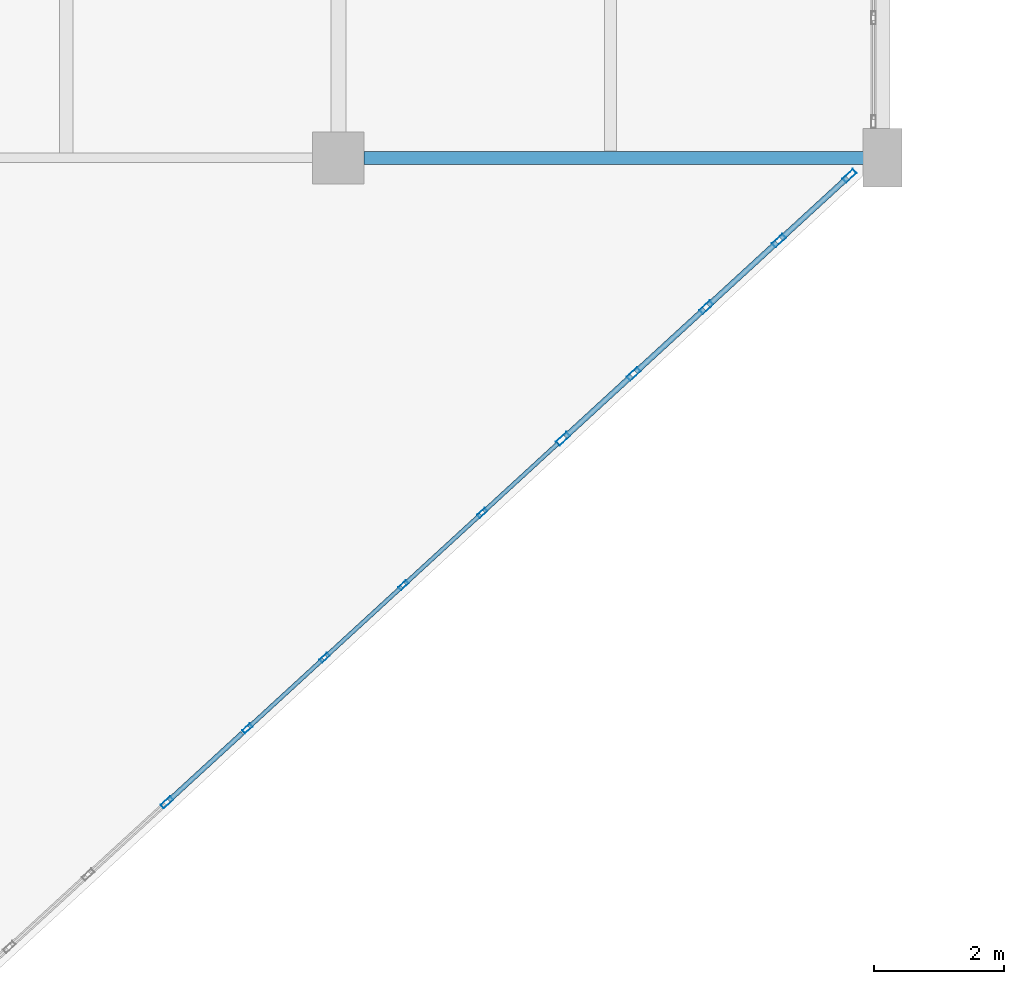
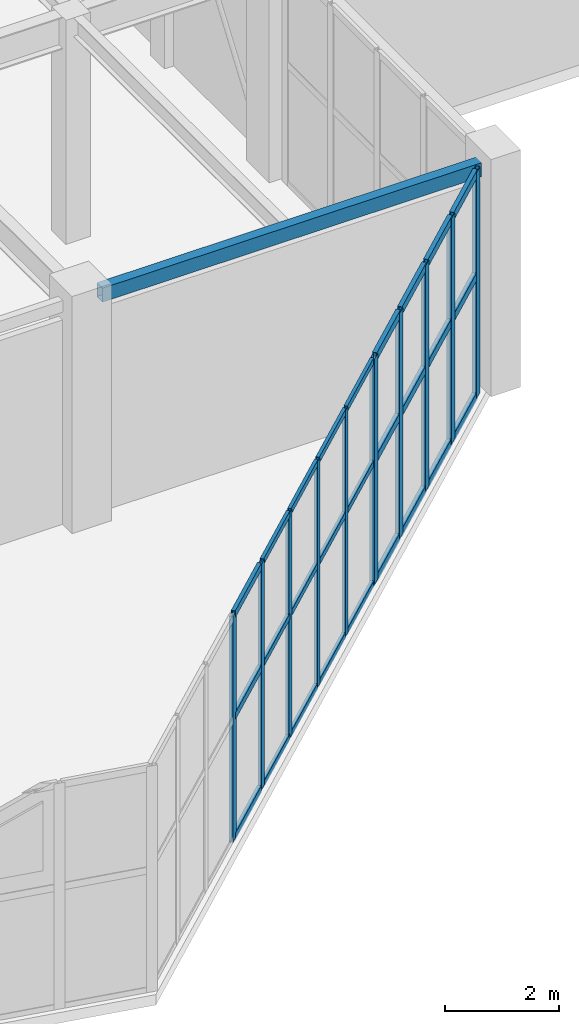
# One storey, part 36 of 128: 37 members, 1 beam, 3 elements without a shape of their own.
"""IFC4 building model written with IfcOpenShell, lengths in metres."""

import ifcopenshell
import ifcopenshell.guid

model = None  # the IFC model being written
_history = None  # IfcOwnerHistory: only IFC2X3 demands one
_inside = {}  # id of a spatial element -> (the spatial element, [elements in it])
_under = {}  # id of a project, library or spatial element -> (it, [spatial elements below it])
_declared = {}  # id of a project -> (the project, [libraries it declares])
_typed = {}  # id of a type object -> (the type object, [elements of that type])
_made_of = {}  # id of a material, layer set ... -> (it, [elements and type objects made of it])


def new_model(schema):
    """Start an empty IFC model of exactly this schema.

    Asked for "IFC4X3", IfcOpenShell would pick the latest addendum, in which some entities
    have other attributes; the version numbers below select the first issue.
    IFC2X3 requires an IfcOwnerHistory on every rooted entity: one is made here for all.
    """
    global model, _history
    if schema == "IFC4X3":
        model = ifcopenshell.file(schema_version=(4, 3, 0, 0))
    else:
        model = ifcopenshell.file(schema=schema)
    _inside.clear()
    _under.clear()
    _declared.clear()
    _typed.clear()
    _made_of.clear()
    _history = None
    if model.schema == "IFC2X3":
        org = make("IfcOrganization", Name="unknown")
        user = make(
            "IfcPersonAndOrganization",
            ThePerson=make("IfcPerson", FamilyName="unknown"),
            TheOrganization=org,
        )
        app = make(
            "IfcApplication",
            ApplicationDeveloper=org,
            Version="unknown",
            ApplicationFullName="unknown",
            ApplicationIdentifier="unknown",
        )
        _history = make(
            "IfcOwnerHistory",
            OwningUser=user,
            OwningApplication=app,
            ChangeAction="ADDED",
            CreationDate=0,
        )
    return model


def make(cls, **values):
    """One entity of the class cls with the attributes given. An attribute that is None is left unset."""
    return model.create_entity(
        cls, **{name: value for name, value in values.items() if value is not None}
    )


def rooted(cls, **values):
    """An entity with a GlobalId (a new one), such as an element, a storey or a relation."""
    return make(cls, GlobalId=ifcopenshell.guid.new(), OwnerHistory=_history, **values)


def si_unit(unit_type, name, prefix=None):
    """IfcSIUnit, for example si_unit("LENGTHUNIT", "METRE", prefix="MILLI")."""
    return make("IfcSIUnit", UnitType=unit_type, Prefix=prefix, Name=name)


def assignment(units):
    """IfcUnitAssignment: the units of a project."""
    return None if units is None else make("IfcUnitAssignment", Units=units)


def point(xyz):
    """IfcCartesianPoint."""
    return None if xyz is None else make("IfcCartesianPoint", Coordinates=xyz)


def direction(xyz):
    """IfcDirection."""
    return None if xyz is None else make("IfcDirection", DirectionRatios=xyz)


def frame(location, z_axis=None, x_axis=None):
    """IfcAxis2Placement3D, a coordinate frame: its origin and axes. An axis left out is left unset."""
    return make(
        "IfcAxis2Placement3D",
        Location=point(location),
        Axis=direction(z_axis),
        RefDirection=direction(x_axis),
    )


def frame_2d(location, x_axis=None):
    """IfcAxis2Placement2D, a coordinate frame in the plane: its origin and x axis."""
    return make(
        "IfcAxis2Placement2D", Location=point(location), RefDirection=direction(x_axis)
    )


def origin():
    """The frame at (0, 0, 0) with its axes left unset."""
    return frame((0.0, 0.0, 0.0))


def origin_2d():
    """The frame at (0, 0) in the plane with its x axis left unset."""
    return frame_2d((0.0, 0.0))


def place(relative_to, where):
    """IfcLocalPlacement: puts the frame where relative to a parent placement (None: the world)."""
    return make(
        "IfcLocalPlacement", PlacementRelTo=relative_to, RelativePlacement=where
    )


def context(
    kind, dimensions, precision=None, world=None, true_north=None, identifier=None
):
    """IfcGeometricRepresentationContext, for example the 3D "Model" context."""
    return make(
        "IfcGeometricRepresentationContext",
        ContextIdentifier=identifier,
        ContextType=kind,
        CoordinateSpaceDimension=dimensions,
        Precision=precision,
        WorldCoordinateSystem=world,
        TrueNorth=true_north,
    )


def subcontext(parent, identifier, kind, view, scale=None):
    """IfcGeometricRepresentationSubContext, for example "Body" below "Model"."""
    return make(
        "IfcGeometricRepresentationSubContext",
        ContextIdentifier=identifier,
        ContextType=kind,
        ParentContext=parent,
        TargetScale=scale,
        TargetView=view,
    )


def project(units=None, contexts=None):
    """IfcProject with its units and contexts."""
    return rooted(
        "IfcProject",
        Name="project",
        RepresentationContexts=contexts,
        UnitsInContext=assignment(units),
    )


def spatial(cls, under=None, at=None, **own):
    """A site, building, storey or space (cls), placed at a placement, below another one or the project."""
    s = rooted(cls, ObjectPlacement=at, **own)
    if under is not None:
        _under.setdefault(under.id(), (under, []))[1].append(s)
    return s


def profile(cls, at=None, kind="AREA", **sizes):
    """A parametric profile (cls). Its sizes go by their IFC names, for example OverallWidth=200.0."""
    return make(cls, ProfileType=kind, Position=at, **sizes)


def hollow_rectangle(**sizes):
    """IfcRectangleHollowProfileDef."""
    return profile("IfcRectangleHollowProfileDef", **sizes)


def extrude(swept, where, along, depth):
    """IfcExtrudedAreaSolid: the profile swept, set in the frame where, extruded along a direction by depth."""
    return make(
        "IfcExtrudedAreaSolid",
        SweptArea=swept,
        Position=where,
        ExtrudedDirection=direction(along),
        Depth=depth,
    )


def shape(context_of_items, identifier, shape_type, items):
    """IfcShapeRepresentation: the items that make up one representation, for example the "Body"."""
    return make(
        "IfcShapeRepresentation",
        ContextOfItems=context_of_items,
        RepresentationIdentifier=identifier,
        RepresentationType=shape_type,
        Items=items,
    )


def material(Name=None, Category=None):
    """IfcMaterial."""
    return make("IfcMaterial", Name=Name, Category=Category)


def layer(
    of_material, thickness, ventilated=None, Name=None, Category=None, Priority=None
):
    """IfcMaterialLayer: one layer of a wall or slab, of a material (None: an air gap)."""
    return make(
        "IfcMaterialLayer",
        Material=of_material,
        LayerThickness=thickness,
        IsVentilated=ventilated,
        Name=Name,
        Category=Category,
        Priority=Priority,
    )


def layer_set(layers, Name=None):
    """IfcMaterialLayerSet."""
    return make("IfcMaterialLayerSet", MaterialLayers=layers, LayerSetName=Name)


def material_profile(
    of_material, cross_section, Name=None, Category=None, Priority=None
):
    """IfcMaterialProfile: a cross section and its material."""
    return make(
        "IfcMaterialProfile",
        Name=Name,
        Material=of_material,
        Profile=cross_section,
        Priority=Priority,
        Category=Category,
    )


def profile_set(profiles, Name=None, composite=None):
    """IfcMaterialProfileSet."""
    return make(
        "IfcMaterialProfileSet",
        Name=Name,
        MaterialProfiles=profiles,
        CompositeProfile=composite,
    )


def made_of(thing, what):
    """Note that an element or type object is made of a material, layer set ...; save() writes the relation."""
    if what is not None:
        _made_of.setdefault(what.id(), (what, []))[1].append(thing)
    return thing


def type_object(cls, material=None, **own):
    """A type object (cls), such as IfcWallType, which elements share."""
    return made_of(rooted(cls, **own), material)


def element(
    cls,
    number,
    at=None,
    inside=None,
    cuts=None,
    type_object=None,
    material=None,
    context=None,
    identifier="Body",
    shape_type=None,
    held_by="IfcProductDefinitionShape",
    body=None,
    shapes=None,
    **own,
):
    """One element of the class cls, such as IfcWall. Its Tag is "e" and its number.

    at: its placement. inside: the storey or other place that contains it. cuts: it is an
    opening in that element (IfcRelVoidsElement). A single representation is given by context,
    identifier, shape_type and body (its items); several are given by shapes. held_by: the class
    of the entity that holds the representations. save() writes the other relations.
    """
    e = rooted(cls, Tag="e%d" % number, ObjectPlacement=at, **own)
    if body is not None:
        shapes = [shape(context, identifier, shape_type, body)]
    if shapes is not None:
        e.Representation = make(held_by, Representations=shapes)
    if inside is not None:
        _inside.setdefault(inside.id(), (inside, []))[1].append(e)
    if cuts is not None:
        rooted(
            "IfcRelVoidsElement", RelatingBuildingElement=cuts, RelatedOpeningElement=e
        )
    if type_object is not None:
        _typed.setdefault(type_object.id(), (type_object, []))[1].append(e)
    return made_of(e, material)


def aggregate(whole, parts):
    """IfcRelAggregates: a whole, such as a stair, and the parts it consists of."""
    return rooted("IfcRelAggregates", RelatingObject=whole, RelatedObjects=parts)


def save(model, path):
    """Write the relations noted so far, then the file.

    IfcRelAggregates (storeys below a building ...), IfcRelContainedInSpatialStructure (elements
    in a storey), IfcRelDefinesByType, IfcRelAssociatesMaterial and IfcRelDeclares: one each for
    every whole, place, type object, material and project.
    """
    for whole, parts in _under.values():
        aggregate(whole, parts)
    for where, things in _inside.values():
        rooted(
            "IfcRelContainedInSpatialStructure",
            RelatedElements=things,
            RelatingStructure=where,
        )
    for kind, things in _typed.values():
        rooted("IfcRelDefinesByType", RelatedObjects=things, RelatingType=kind)
    for what, things in _made_of.values():
        rooted("IfcRelAssociatesMaterial", RelatedObjects=things, RelatingMaterial=what)
    for by, libraries in _declared.values():
        rooted("IfcRelDeclares", RelatingContext=by, RelatedDefinitions=libraries)
    model.write(path)


model = new_model("IFC4")

# Units and contexts
model_context = context("Model", 3, precision=1e-05, world=origin(), true_north=direction((0.0, 1.0)))
body_context = subcontext(model_context, "Body", "Model", "MODEL_VIEW")
ifc_project = project(units=[si_unit("LENGTHUNIT", "METRE"), si_unit("AREAUNIT", "SQUARE_METRE"), si_unit("VOLUMEUNIT", "CUBIC_METRE"), si_unit("PLANEANGLEUNIT", "RADIAN"), si_unit("MASSUNIT", "GRAM", prefix="KILO")], contexts=[model_context])

# Site, building, storey
site_placement = place(None, origin())
site = spatial("IfcSite", under=ifc_project, at=site_placement, CompositionType="ELEMENT")
building_placement = place(site_placement, origin())
building = spatial("IfcBuilding", under=site, at=building_placement, Name="Xicomal Pleat Aquarium", CompositionType="ELEMENT")
storey_placement = place(building_placement, frame((0.0, 0.0, 5.39990234375)))
storey = spatial("IfcBuildingStorey", under=building, at=storey_placement, Name="L02", CompositionType="ELEMENT", Elevation=5.39990234375)

# Beam
ifc_material_1 = material(Name="Structural steel A500 Gr C", Category="steel")
ifc_material_profile_1 = material_profile(ifc_material_1, hollow_rectangle(XDim=0.199951171875, YDim=0.300048828125, WallThickness=0.011962890625, at=origin_2d()), Name="OR 300x200x12")
ifc_profile_set_1 = profile_set([ifc_material_profile_1], Name="Structural steel A500 Gr C")
beam_type = type_object("IfcBeamType", Name="BM-STL-OR300", PredefinedType="SPANDREL", material=ifc_profile_set_1)
beam_placement = place(storey_placement, frame((86.195068359375, 30.39990234375, 4.670166015625), z_axis=(1.0, 0.0, 0.0), x_axis=(0.0, 1.0, 0.0)))
element("IfcBeam", 1, at=beam_placement, inside=storey, type_object=beam_type, Name="L02 framing beam FGX-L02-11-12-E", PredefinedType="SPANDREL", context=body_context, shape_type="SweptSolid", body=[
    extrude(hollow_rectangle(XDim=0.199951171875, YDim=0.300048828125, WallThickness=0.011962890625, at=origin_2d()), origin(), (0.0, 0.0, 1.0), 7.7099609375),
])

# Curtain wall, members
ifc_material_2 = material(Name="Bronze anodized aluminium 6063-T6", Category="aluminium")
ifc_layer_1 = layer(ifc_material_2, 0.159912109375)
ifc_layer_set_1 = layer_set([ifc_layer_1], Name="Bronze anodized aluminium 6063-T6")
curtain_wall_type_1 = type_object("IfcCurtainWallType", Name="CW-SYS-02", PredefinedType="NOTDEFINED", material=ifc_layer_set_1)
curtain_wall_1_placement = place(storey_placement, origin())
curtain_wall_1 = element("IfcCurtainWall", 2, at=curtain_wall_1_placement, inside=storey, type_object=curtain_wall_type_1, Name="L02 unitised curtain wall CW-L02-120", PredefinedType="NOTDEFINED")
ifc_material_3 = material(Name="Bronze anodized aluminium 6063-T6", Category="aluminium")
ifc_material_profile_2 = material_profile(ifc_material_3, hollow_rectangle(XDim=0.06494140625, YDim=0.159912109375, WallThickness=0.00390625, at=origin_2d()), Name="ALU MULL 65x160")
ifc_profile_set_2 = profile_set([ifc_material_profile_2], Name="Bronze anodized aluminium 6063-T6")
member_type_1 = type_object("IfcMemberType", Name="CWM-65x160", PredefinedType="MULLION", material=ifc_profile_set_2)
member_1_placement = place(storey_placement, frame((88.021484375, 24.91943359375, 0.0), z_axis=(0.0, 0.0, 1.0), x_axis=(0.676177003707, -0.736739207358, 0.0)))
member_1 = element("IfcMember", 3, at=member_1_placement, type_object=member_type_1, Name="CW-02 mullion 2", PredefinedType="MULLION", context=body_context, shape_type="SweptSolid", body=[
    extrude(hollow_rectangle(XDim=0.06494140625, YDim=0.159912109375, WallThickness=0.00390625, at=origin_2d()), origin(), (0.0, 0.0, 1.0), 4.860107421875),
])
member_2_placement = place(storey_placement, frame((86.804931640625, 23.802978515625, 0.0), z_axis=(0.0, 0.0, 1.0), x_axis=(0.676177003707, -0.736739207358, 0.0)))
member_2 = element("IfcMember", 4, at=member_2_placement, type_object=member_type_1, Name="CW-02 mullion 3", PredefinedType="MULLION", context=body_context, shape_type="SweptSolid", body=[
    extrude(hollow_rectangle(XDim=0.06494140625, YDim=0.159912109375, WallThickness=0.00390625, at=origin_2d()), origin(), (0.0, 0.0, 1.0), 4.860107421875),
])
member_3_placement = place(storey_placement, frame((85.58837890625, 22.6865234375, 0.0), z_axis=(0.0, 0.0, 1.0), x_axis=(0.676177003707, -0.736739207358, 0.0)))
member_3 = element("IfcMember", 5, at=member_3_placement, type_object=member_type_1, Name="CW-02 mullion 4", PredefinedType="MULLION", context=body_context, shape_type="SweptSolid", body=[
    extrude(hollow_rectangle(XDim=0.06494140625, YDim=0.159912109375, WallThickness=0.00390625, at=origin_2d()), origin(), (0.0, 0.0, 1.0), 4.860107421875),
])
member_4_placement = place(storey_placement, frame((84.39599609375, 21.592041015625, 0.0), z_axis=(0.0, 0.0, 1.0), x_axis=(0.676177003707, -0.736739207358, 0.0)))
member_4 = element("IfcMember", 6, at=member_4_placement, type_object=member_type_1, Name="CW-02 mullion 5", PredefinedType="MULLION", context=body_context, shape_type="SweptSolid", body=[
    extrude(hollow_rectangle(XDim=0.06494140625, YDim=0.159912109375, WallThickness=0.00390625, at=origin_2d()), origin(), (0.0, 0.0, 1.0), 4.860107421875),
])

# Curtain wall, member
ifc_material_4 = material(Name="Bronze anodized aluminium 6063-T6", Category="aluminium")
ifc_layer_2 = layer(ifc_material_4, 0.159912109375)
ifc_layer_set_2 = layer_set([ifc_layer_2], Name="Bronze anodized aluminium 6063-T6")
curtain_wall_type_2 = type_object("IfcCurtainWallType", Name="CW-SYS-07", PredefinedType="NOTDEFINED", material=ifc_layer_set_2)
curtain_wall_2_placement = place(storey_placement, origin())
curtain_wall_2 = element("IfcCurtainWall", 7, at=curtain_wall_2_placement, inside=storey, type_object=curtain_wall_type_2, Name="L02 unitised curtain wall CW-L02-121", PredefinedType="NOTDEFINED")
ifc_material_5 = material(Name="Bronze anodized aluminium 6063-T6", Category="aluminium")
ifc_material_profile_3 = material_profile(ifc_material_5, hollow_rectangle(XDim=0.074951171875, YDim=0.199951171875, WallThickness=0.00439453125, at=origin_2d()), Name="ALU MULL 75x200")
ifc_profile_set_3 = profile_set([ifc_material_profile_3], Name="Bronze anodized aluminium 6063-T6")
member_type_2 = type_object("IfcMemberType", Name="CWM-75x200", PredefinedType="MULLION", material=ifc_profile_set_3)
member_5_placement = place(storey_placement, frame((83.1552734375, 20.453369140625, 0.0), z_axis=(0.0, 0.0, 1.0), x_axis=(0.676183757735, -0.736733008475, 0.0)))
member_5 = element("IfcMember", 8, at=member_5_placement, type_object=member_type_2, Name="CW-07 mullion 2", PredefinedType="MULLION", context=body_context, shape_type="SweptSolid", body=[
    extrude(hollow_rectangle(XDim=0.074951171875, YDim=0.199951171875, WallThickness=0.00439453125, at=origin_2d()), origin(), (0.0, 0.0, 1.0), 4.860107421875),
])

# Curtain wall, members
ifc_material_6 = material(Name="Bronze anodized aluminium 6063-T6", Category="aluminium")
ifc_layer_3 = layer(ifc_material_6, 0.159912109375)
ifc_layer_set_3 = layer_set([ifc_layer_3], Name="Bronze anodized aluminium 6063-T6")
curtain_wall_type_3 = type_object("IfcCurtainWallType", Name="CW-SYS-12", PredefinedType="NOTDEFINED", material=ifc_layer_set_3)
curtain_wall_3_placement = place(storey_placement, origin())
curtain_wall_3 = element("IfcCurtainWall", 9, at=curtain_wall_3_placement, inside=storey, type_object=curtain_wall_type_3, Name="L02 unitised curtain wall CW-L02-119", PredefinedType="NOTDEFINED")
ifc_material_7 = material(Name="Bronze anodized aluminium 6063-T6", Category="aluminium")
ifc_material_profile_4 = material_profile(ifc_material_7, hollow_rectangle(XDim=0.0849609375, YDim=0.219970703125, WallThickness=0.0048828125, at=origin_2d()), Name="ALU MULL 85x220")
ifc_profile_set_4 = profile_set([ifc_material_profile_4], Name="Bronze anodized aluminium 6063-T6")
member_type_3 = type_object("IfcMemberType", Name="CWM-85x220", PredefinedType="MULLION", material=ifc_profile_set_4)
member_6_placement = place(storey_placement, frame((93.690673828125, 30.123291015625, 0.0), z_axis=(0.0, 0.0, 1.0), x_axis=(0.676230368116, -0.736690226104, 0.0)))
member_6 = element("IfcMember", 10, at=member_6_placement, type_object=member_type_3, Name="CW-12 mullion 1", PredefinedType="MULLION", context=body_context, shape_type="SweptSolid", body=[
    extrude(hollow_rectangle(XDim=0.0849609375, YDim=0.219970703125, WallThickness=0.0048828125, at=origin_2d()), origin(), (0.0, 0.0, 1.0), 4.860107421875),
])
member_7_placement = place(storey_placement, frame((92.60107421875, 29.123046875, 0.0), z_axis=(0.0, 0.0, 1.0), x_axis=(0.676230368116, -0.736690226104, 0.0)))
member_7 = element("IfcMember", 11, at=member_7_placement, type_object=member_type_3, Name="CW-12 mullion 2", PredefinedType="MULLION", context=body_context, shape_type="SweptSolid", body=[
    extrude(hollow_rectangle(XDim=0.0849609375, YDim=0.219970703125, WallThickness=0.0048828125, at=origin_2d()), origin(), (0.0, 0.0, 1.0), 4.860107421875),
])
member_8_placement = place(storey_placement, frame((91.47998046875, 28.093994140625, 0.0), z_axis=(0.0, 0.0, 1.0), x_axis=(0.676230368116, -0.736690226104, 0.0)))
member_8 = element("IfcMember", 12, at=member_8_placement, type_object=member_type_3, Name="CW-12 mullion 3", PredefinedType="MULLION", context=body_context, shape_type="SweptSolid", body=[
    extrude(hollow_rectangle(XDim=0.0849609375, YDim=0.219970703125, WallThickness=0.0048828125, at=origin_2d()), origin(), (0.0, 0.0, 1.0), 4.860107421875),
])
member_9_placement = place(storey_placement, frame((90.35888671875, 27.06494140625, 0.0), z_axis=(0.0, 0.0, 1.0), x_axis=(0.676230368116, -0.736690226104, 0.0)))
member_9 = element("IfcMember", 13, at=member_9_placement, type_object=member_type_3, Name="CW-12 mullion 4", PredefinedType="MULLION", context=body_context, shape_type="SweptSolid", body=[
    extrude(hollow_rectangle(XDim=0.0849609375, YDim=0.219970703125, WallThickness=0.0048828125, at=origin_2d()), origin(), (0.0, 0.0, 1.0), 4.860107421875),
])
member_10_placement = place(storey_placement, frame((89.269287109375, 26.064697265625, 0.0), z_axis=(0.0, 0.0, 1.0), x_axis=(0.676230368116, -0.736690226104, 0.0)))
member_10 = element("IfcMember", 14, at=member_10_placement, type_object=member_type_3, Name="CW-12 mullion 5", PredefinedType="MULLION", context=body_context, shape_type="SweptSolid", body=[
    extrude(hollow_rectangle(XDim=0.0849609375, YDim=0.219970703125, WallThickness=0.0048828125, at=origin_2d()), origin(), (0.0, 0.0, 1.0), 4.860107421875),
])

# Member
ifc_material_8 = material(Name="Bronze anodized aluminium 6063-T6", Category="aluminium")
ifc_material_profile_5 = material_profile(ifc_material_8, hollow_rectangle(XDim=0.06494140625, YDim=0.1298828125, WallThickness=0.00390625, at=origin_2d()), Name="ALU TRAN 65x130")
ifc_profile_set_5 = profile_set([ifc_material_profile_5], Name="Bronze anodized aluminium 6063-T6")
member_type_4 = type_object("IfcMemberType", Name="CWT-65x130", PredefinedType="USERDEFINED", material=ifc_profile_set_5)
member_11_placement = place(storey_placement, frame((89.190185546875, 25.991943359375, 0.03271484375), z_axis=(-0.73678225328, -0.676130099353, 0.0), x_axis=(0.676130099353, -0.73678225328, 0.0)))
member_11 = element("IfcMember", 15, at=member_11_placement, type_object=member_type_4, Name="CW-02 transom 1.1", ObjectType="TRANSOM", PredefinedType="USERDEFINED", context=body_context, shape_type="SweptSolid", body=[
    extrude(hollow_rectangle(XDim=0.06494140625, YDim=0.1298828125, WallThickness=0.00390625, at=origin_2d()), origin(), (0.0, 0.0, 1.0), 1.5537109375),
])

member_12_placement = place(storey_placement, frame((89.190185546875, 25.991943359375, 2.6240234375), z_axis=(-0.73678225328, -0.676130099353, 0.0), x_axis=(0.676130099353, -0.73678225328, 0.0)))
member_12 = element("IfcMember", 16, at=member_12_placement, type_object=member_type_4, Name="CW-02 transom 1.2", ObjectType="TRANSOM", PredefinedType="USERDEFINED", context=body_context, shape_type="SweptSolid", body=[
    extrude(hollow_rectangle(XDim=0.06494140625, YDim=0.1298828125, WallThickness=0.00390625, at=origin_2d()), origin(), (0.0, 0.0, 1.0), 1.5537109375),
])

member_13_placement = place(storey_placement, frame((89.190185546875, 25.991943359375, 4.82763671875), z_axis=(-0.73678225328, -0.676130099353, 0.0), x_axis=(0.676130099353, -0.73678225328, 0.0)))
member_13 = element("IfcMember", 17, at=member_13_placement, type_object=member_type_4, Name="CW-02 transom 1.3", ObjectType="TRANSOM", PredefinedType="USERDEFINED", context=body_context, shape_type="SweptSolid", body=[
    extrude(hollow_rectangle(XDim=0.06494140625, YDim=0.1298828125, WallThickness=0.00390625, at=origin_2d()), origin(), (0.0, 0.0, 1.0), 1.5537109375),
])

member_14_placement = place(storey_placement, frame((87.99755859375, 24.8974609375, 0.03271484375), z_axis=(-0.736777086134, -0.676135729974, 0.0), x_axis=(0.676135729974, -0.736777086134, 0.0)))
member_14 = element("IfcMember", 18, at=member_14_placement, type_object=member_type_4, Name="CW-02 transom 2.1", ObjectType="TRANSOM", PredefinedType="USERDEFINED", context=body_context, shape_type="SweptSolid", body=[
    extrude(hollow_rectangle(XDim=0.06494140625, YDim=0.1298828125, WallThickness=0.00390625, at=origin_2d()), origin(), (0.0, 0.0, 1.0), 1.586181640625),
])

member_15_placement = place(storey_placement, frame((87.99755859375, 24.8974609375, 2.6240234375), z_axis=(-0.736777086134, -0.676135729974, 0.0), x_axis=(0.676135729974, -0.736777086134, 0.0)))
member_15 = element("IfcMember", 19, at=member_15_placement, type_object=member_type_4, Name="CW-02 transom 2.2", ObjectType="TRANSOM", PredefinedType="USERDEFINED", context=body_context, shape_type="SweptSolid", body=[
    extrude(hollow_rectangle(XDim=0.06494140625, YDim=0.1298828125, WallThickness=0.00390625, at=origin_2d()), origin(), (0.0, 0.0, 1.0), 1.586181640625),
])

member_16_placement = place(storey_placement, frame((87.99755859375, 24.8974609375, 4.82763671875), z_axis=(-0.736777086134, -0.676135729974, 0.0), x_axis=(0.676135729974, -0.736777086134, 0.0)))
member_16 = element("IfcMember", 20, at=member_16_placement, type_object=member_type_4, Name="CW-02 transom 2.3", ObjectType="TRANSOM", PredefinedType="USERDEFINED", context=body_context, shape_type="SweptSolid", body=[
    extrude(hollow_rectangle(XDim=0.06494140625, YDim=0.1298828125, WallThickness=0.00390625, at=origin_2d()), origin(), (0.0, 0.0, 1.0), 1.586181640625),
])

member_17_placement = place(storey_placement, frame((86.781005859375, 23.781005859375, 0.03271484375), z_axis=(-0.736777086134, -0.676135729974, 0.0), x_axis=(0.676135729974, -0.736777086134, 0.0)))
member_17 = element("IfcMember", 21, at=member_17_placement, type_object=member_type_4, Name="CW-02 transom 3.1", ObjectType="TRANSOM", PredefinedType="USERDEFINED", context=body_context, shape_type="SweptSolid", body=[
    extrude(hollow_rectangle(XDim=0.06494140625, YDim=0.1298828125, WallThickness=0.00390625, at=origin_2d()), origin(), (0.0, 0.0, 1.0), 1.586181640625),
])

member_18_placement = place(storey_placement, frame((86.781005859375, 23.781005859375, 2.6240234375), z_axis=(-0.736777086134, -0.676135729974, 0.0), x_axis=(0.676135729974, -0.736777086134, 0.0)))
member_18 = element("IfcMember", 22, at=member_18_placement, type_object=member_type_4, Name="CW-02 transom 3.2", ObjectType="TRANSOM", PredefinedType="USERDEFINED", context=body_context, shape_type="SweptSolid", body=[
    extrude(hollow_rectangle(XDim=0.06494140625, YDim=0.1298828125, WallThickness=0.00390625, at=origin_2d()), origin(), (0.0, 0.0, 1.0), 1.586181640625),
])

member_19_placement = place(storey_placement, frame((86.781005859375, 23.781005859375, 4.82763671875), z_axis=(-0.736777086134, -0.676135729974, 0.0), x_axis=(0.676135729974, -0.736777086134, 0.0)))
member_19 = element("IfcMember", 23, at=member_19_placement, type_object=member_type_4, Name="CW-02 transom 3.3", ObjectType="TRANSOM", PredefinedType="USERDEFINED", context=body_context, shape_type="SweptSolid", body=[
    extrude(hollow_rectangle(XDim=0.06494140625, YDim=0.1298828125, WallThickness=0.00390625, at=origin_2d()), origin(), (0.0, 0.0, 1.0), 1.586181640625),
])

member_20_placement = place(storey_placement, frame((85.564697265625, 22.66455078125, 0.03271484375), z_axis=(-0.73678225328, -0.676130099353, 0.0), x_axis=(0.676130099353, -0.73678225328, 0.0)))
member_20 = element("IfcMember", 24, at=member_20_placement, type_object=member_type_4, Name="CW-02 transom 4.1", ObjectType="TRANSOM", PredefinedType="USERDEFINED", context=body_context, shape_type="SweptSolid", body=[
    extrude(hollow_rectangle(XDim=0.06494140625, YDim=0.1298828125, WallThickness=0.00390625, at=origin_2d()), origin(), (0.0, 0.0, 1.0), 1.5537109375),
])

member_21_placement = place(storey_placement, frame((85.564697265625, 22.66455078125, 2.6240234375), z_axis=(-0.73678225328, -0.676130099353, 0.0), x_axis=(0.676130099353, -0.73678225328, 0.0)))
member_21 = element("IfcMember", 25, at=member_21_placement, type_object=member_type_4, Name="CW-02 transom 4.2", ObjectType="TRANSOM", PredefinedType="USERDEFINED", context=body_context, shape_type="SweptSolid", body=[
    extrude(hollow_rectangle(XDim=0.06494140625, YDim=0.1298828125, WallThickness=0.00390625, at=origin_2d()), origin(), (0.0, 0.0, 1.0), 1.5537109375),
])

member_22_placement = place(storey_placement, frame((85.564697265625, 22.66455078125, 4.82763671875), z_axis=(-0.73678225328, -0.676130099353, 0.0), x_axis=(0.676130099353, -0.73678225328, 0.0)))
member_22 = element("IfcMember", 26, at=member_22_placement, type_object=member_type_4, Name="CW-02 transom 4.3", ObjectType="TRANSOM", PredefinedType="USERDEFINED", context=body_context, shape_type="SweptSolid", body=[
    extrude(hollow_rectangle(XDim=0.06494140625, YDim=0.1298828125, WallThickness=0.00390625, at=origin_2d()), origin(), (0.0, 0.0, 1.0), 1.5537109375),
])

aggregate(curtain_wall_1, [member_1, member_2, member_3, member_4, member_11, member_12, member_13, member_14, member_15, member_16, member_17, member_18, member_19, member_20, member_21, member_22])

ifc_material_9 = material(Name="Bronze anodized aluminium 6063-T6", Category="aluminium")
ifc_material_profile_6 = material_profile(ifc_material_9, hollow_rectangle(XDim=0.074951171875, YDim=0.14990234375, WallThickness=0.00439453125, at=origin_2d()), Name="ALU TRAN 75x150")
ifc_profile_set_6 = profile_set([ifc_material_profile_6], Name="Bronze anodized aluminium 6063-T6")
member_type_5 = type_object("IfcMemberType", Name="CWT-75x150", PredefinedType="USERDEFINED", material=ifc_profile_set_6)
member_23_placement = place(storey_placement, frame((84.316650390625, 21.519287109375, 0.03759765625), z_axis=(-0.736679863198, -0.676241657367, 0.0), x_axis=(0.676241657367, -0.736679863198, 0.0)))
member_23 = element("IfcMember", 27, at=member_23_placement, type_object=member_type_5, Name="CW-07 transom 1.1", ObjectType="TRANSOM", PredefinedType="USERDEFINED", context=body_context, shape_type="SweptSolid", body=[
    extrude(hollow_rectangle(XDim=0.074951171875, YDim=0.14990234375, WallThickness=0.00439453125, at=origin_2d()), origin(), (0.0, 0.0, 1.0), 1.5390625),
])

member_24_placement = place(storey_placement, frame((84.316650390625, 21.519287109375, 2.6240234375), z_axis=(-0.736679863198, -0.676241657367, 0.0), x_axis=(0.676241657367, -0.736679863198, 0.0)))
member_24 = element("IfcMember", 28, at=member_24_placement, type_object=member_type_5, Name="CW-07 transom 1.2", ObjectType="TRANSOM", PredefinedType="USERDEFINED", context=body_context, shape_type="SweptSolid", body=[
    extrude(hollow_rectangle(XDim=0.074951171875, YDim=0.14990234375, WallThickness=0.00439453125, at=origin_2d()), origin(), (0.0, 0.0, 1.0), 1.5390625),
])

member_25_placement = place(storey_placement, frame((84.316650390625, 21.519287109375, 4.822509765625), z_axis=(-0.736679863198, -0.676241657367, 0.0), x_axis=(0.676241657367, -0.736679863198, 0.0)))
member_25 = element("IfcMember", 29, at=member_25_placement, type_object=member_type_5, Name="CW-07 transom 1.3", ObjectType="TRANSOM", PredefinedType="USERDEFINED", context=body_context, shape_type="SweptSolid", body=[
    extrude(hollow_rectangle(XDim=0.074951171875, YDim=0.14990234375, WallThickness=0.00439453125, at=origin_2d()), origin(), (0.0, 0.0, 1.0), 1.5390625),
])

aggregate(curtain_wall_2, [member_5, member_23, member_24, member_25])

ifc_material_10 = material(Name="Bronze anodized aluminium 6063-T6", Category="aluminium")
ifc_material_profile_7 = material_profile(ifc_material_10, hollow_rectangle(XDim=0.0849609375, YDim=0.169921875, WallThickness=0.0048828125, at=origin_2d()), Name="ALU TRAN 85x170")
ifc_profile_set_7 = profile_set([ifc_material_profile_7], Name="Bronze anodized aluminium 6063-T6")
member_type_6 = type_object("IfcMemberType", Name="CWT-85x170", PredefinedType="USERDEFINED", material=ifc_profile_set_7)
member_26_placement = place(storey_placement, frame((93.659423828125, 30.094482421875, 0.04248046875), z_axis=(-0.736666958482, -0.676255715155, 0.0), x_axis=(0.676255715155, -0.736666958482, 0.0)))
member_26 = element("IfcMember", 30, at=member_26_placement, type_object=member_type_6, Name="CW-12 transom 1.1", ObjectType="TRANSOM", PredefinedType="USERDEFINED", context=body_context, shape_type="SweptSolid", body=[
    extrude(hollow_rectangle(XDim=0.0849609375, YDim=0.169921875, WallThickness=0.0048828125, at=origin_2d()), origin(), (0.0, 0.0, 1.0), 1.394287109375),
])

member_27_placement = place(storey_placement, frame((93.659423828125, 30.094482421875, 2.6240234375), z_axis=(-0.736666958482, -0.676255715155, 0.0), x_axis=(0.676255715155, -0.736666958482, 0.0)))
member_27 = element("IfcMember", 31, at=member_27_placement, type_object=member_type_6, Name="CW-12 transom 1.2", ObjectType="TRANSOM", PredefinedType="USERDEFINED", context=body_context, shape_type="SweptSolid", body=[
    extrude(hollow_rectangle(XDim=0.0849609375, YDim=0.169921875, WallThickness=0.0048828125, at=origin_2d()), origin(), (0.0, 0.0, 1.0), 1.394287109375),
])

member_28_placement = place(storey_placement, frame((93.659423828125, 30.094482421875, 4.817626953125), z_axis=(-0.736666958482, -0.676255715155, 0.0), x_axis=(0.676255715155, -0.736666958482, 0.0)))
member_28 = element("IfcMember", 32, at=member_28_placement, type_object=member_type_6, Name="CW-12 transom 1.3", ObjectType="TRANSOM", PredefinedType="USERDEFINED", context=body_context, shape_type="SweptSolid", body=[
    extrude(hollow_rectangle(XDim=0.0849609375, YDim=0.169921875, WallThickness=0.0048828125, at=origin_2d()), origin(), (0.0, 0.0, 1.0), 1.394287109375),
])

member_29_placement = place(storey_placement, frame((92.569580078125, 29.09423828125, 0.04248046875), z_axis=(-0.736709559776, -0.676209305271, 0.0), x_axis=(0.676209305271, -0.736709559776, 0.0)))
member_29 = element("IfcMember", 33, at=member_29_placement, type_object=member_type_6, Name="CW-12 transom 2.1", ObjectType="TRANSOM", PredefinedType="USERDEFINED", context=body_context, shape_type="SweptSolid", body=[
    extrude(hollow_rectangle(XDim=0.0849609375, YDim=0.169921875, WallThickness=0.0048828125, at=origin_2d()), origin(), (0.0, 0.0, 1.0), 1.4365234375),
])

member_30_placement = place(storey_placement, frame((92.569580078125, 29.09423828125, 2.6240234375), z_axis=(-0.736709559776, -0.676209305271, 0.0), x_axis=(0.676209305271, -0.736709559776, 0.0)))
member_30 = element("IfcMember", 34, at=member_30_placement, type_object=member_type_6, Name="CW-12 transom 2.2", ObjectType="TRANSOM", PredefinedType="USERDEFINED", context=body_context, shape_type="SweptSolid", body=[
    extrude(hollow_rectangle(XDim=0.0849609375, YDim=0.169921875, WallThickness=0.0048828125, at=origin_2d()), origin(), (0.0, 0.0, 1.0), 1.4365234375),
])

member_31_placement = place(storey_placement, frame((92.569580078125, 29.09423828125, 4.817626953125), z_axis=(-0.736709559776, -0.676209305271, 0.0), x_axis=(0.676209305271, -0.736709559776, 0.0)))
member_31 = element("IfcMember", 35, at=member_31_placement, type_object=member_type_6, Name="CW-12 transom 2.3", ObjectType="TRANSOM", PredefinedType="USERDEFINED", context=body_context, shape_type="SweptSolid", body=[
    extrude(hollow_rectangle(XDim=0.0849609375, YDim=0.169921875, WallThickness=0.0048828125, at=origin_2d()), origin(), (0.0, 0.0, 1.0), 1.4365234375),
])

member_32_placement = place(storey_placement, frame((91.44873046875, 28.065185546875, 0.04248046875), z_axis=(-0.736709559776, -0.676209305271, 0.0), x_axis=(0.676209305271, -0.736709559776, 0.0)))
member_32 = element("IfcMember", 36, at=member_32_placement, type_object=member_type_6, Name="CW-12 transom 3.1", ObjectType="TRANSOM", PredefinedType="USERDEFINED", context=body_context, shape_type="SweptSolid", body=[
    extrude(hollow_rectangle(XDim=0.0849609375, YDim=0.169921875, WallThickness=0.0048828125, at=origin_2d()), origin(), (0.0, 0.0, 1.0), 1.4365234375),
])

member_33_placement = place(storey_placement, frame((91.44873046875, 28.065185546875, 2.6240234375), z_axis=(-0.736709559776, -0.676209305271, 0.0), x_axis=(0.676209305271, -0.736709559776, 0.0)))
member_33 = element("IfcMember", 37, at=member_33_placement, type_object=member_type_6, Name="CW-12 transom 3.2", ObjectType="TRANSOM", PredefinedType="USERDEFINED", context=body_context, shape_type="SweptSolid", body=[
    extrude(hollow_rectangle(XDim=0.0849609375, YDim=0.169921875, WallThickness=0.0048828125, at=origin_2d()), origin(), (0.0, 0.0, 1.0), 1.4365234375),
])

member_34_placement = place(storey_placement, frame((91.44873046875, 28.065185546875, 4.817626953125), z_axis=(-0.736709559776, -0.676209305271, 0.0), x_axis=(0.676209305271, -0.736709559776, 0.0)))
member_34 = element("IfcMember", 38, at=member_34_placement, type_object=member_type_6, Name="CW-12 transom 3.3", ObjectType="TRANSOM", PredefinedType="USERDEFINED", context=body_context, shape_type="SweptSolid", body=[
    extrude(hollow_rectangle(XDim=0.0849609375, YDim=0.169921875, WallThickness=0.0048828125, at=origin_2d()), origin(), (0.0, 0.0, 1.0), 1.4365234375),
])

member_35_placement = place(storey_placement, frame((90.32763671875, 27.036376953125, 0.04248046875), z_axis=(-0.736666958482, -0.676255715155, 0.0), x_axis=(0.676255715155, -0.736666958482, 0.0)))
member_35 = element("IfcMember", 39, at=member_35_placement, type_object=member_type_6, Name="CW-12 transom 4.1", ObjectType="TRANSOM", PredefinedType="USERDEFINED", context=body_context, shape_type="SweptSolid", body=[
    extrude(hollow_rectangle(XDim=0.0849609375, YDim=0.169921875, WallThickness=0.0048828125, at=origin_2d()), origin(), (0.0, 0.0, 1.0), 1.394287109375),
])

member_36_placement = place(storey_placement, frame((90.32763671875, 27.036376953125, 2.6240234375), z_axis=(-0.736666958482, -0.676255715155, 0.0), x_axis=(0.676255715155, -0.736666958482, 0.0)))
member_36 = element("IfcMember", 40, at=member_36_placement, type_object=member_type_6, Name="CW-12 transom 4.2", ObjectType="TRANSOM", PredefinedType="USERDEFINED", context=body_context, shape_type="SweptSolid", body=[
    extrude(hollow_rectangle(XDim=0.0849609375, YDim=0.169921875, WallThickness=0.0048828125, at=origin_2d()), origin(), (0.0, 0.0, 1.0), 1.394287109375),
])

member_37_placement = place(storey_placement, frame((90.32763671875, 27.036376953125, 4.817626953125), z_axis=(-0.736666958482, -0.676255715155, 0.0), x_axis=(0.676255715155, -0.736666958482, 0.0)))
member_37 = element("IfcMember", 41, at=member_37_placement, type_object=member_type_6, Name="CW-12 transom 4.3", ObjectType="TRANSOM", PredefinedType="USERDEFINED", context=body_context, shape_type="SweptSolid", body=[
    extrude(hollow_rectangle(XDim=0.0849609375, YDim=0.169921875, WallThickness=0.0048828125, at=origin_2d()), origin(), (0.0, 0.0, 1.0), 1.394287109375),
])

aggregate(curtain_wall_3, [member_6, member_7, member_8, member_9, member_10, member_26, member_27, member_28, member_29, member_30, member_31, member_32, member_33, member_34, member_35, member_36, member_37])

save(model, "model.ifc")
